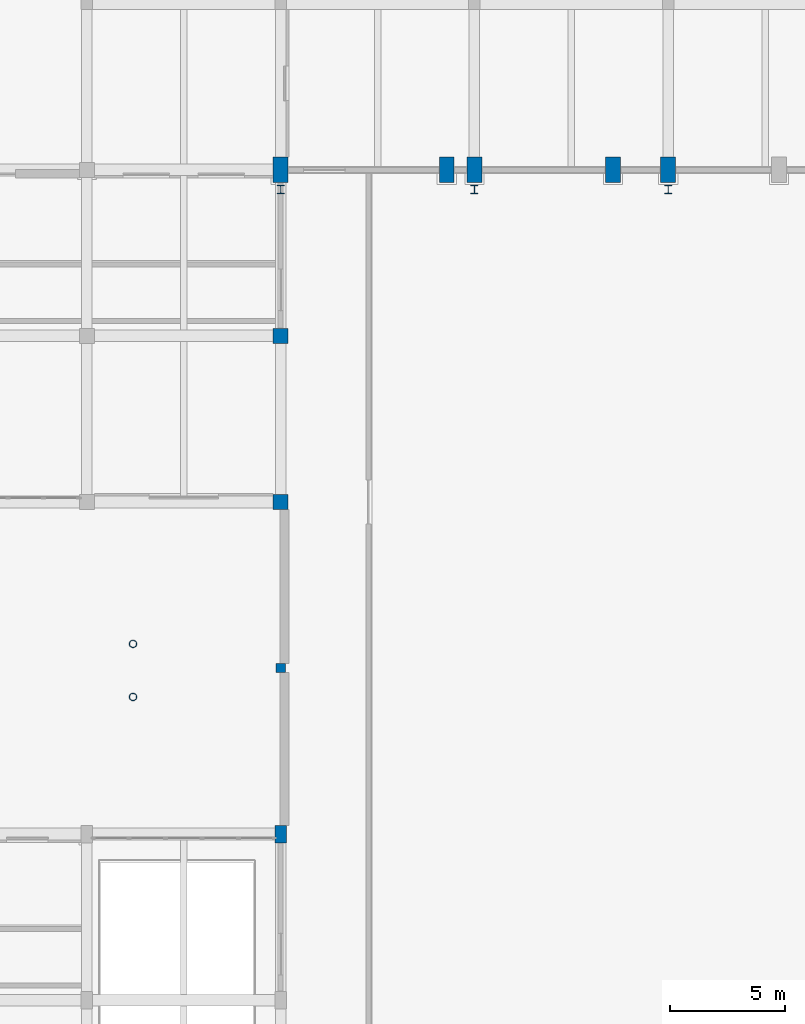
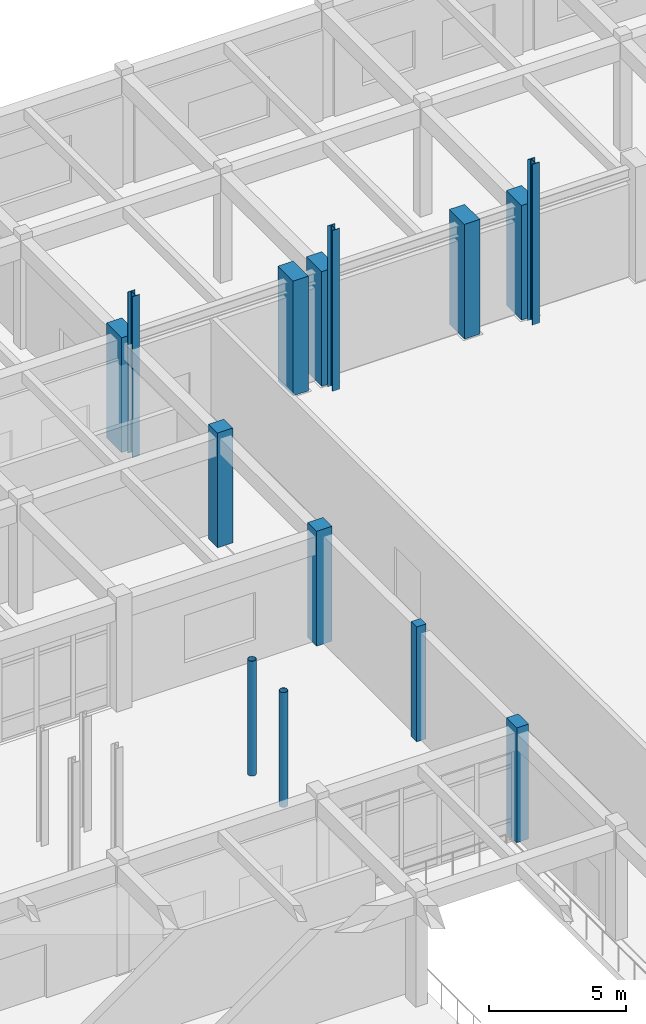
# One storey, part 31 of 121: 14 columns.
"""IFC4 building model written with IfcOpenShell, lengths in metres."""

from ifc_helpers import new_model, si_unit, direction, frame, origin, origin_2d, place, context, subcontext, project, spatial, rectangle, hollow_circle, i_section, extrude, material, material_profile, profile_set, type_object, element, save


model = new_model("IFC4")

# Units and contexts
model_context = context("Model", 3, precision=1e-05, world=origin(), true_north=direction((0.0, 1.0)))
body_context = subcontext(model_context, "Body", "Model", "MODEL_VIEW")
ifc_project = project(units=[si_unit("LENGTHUNIT", "METRE"), si_unit("AREAUNIT", "SQUARE_METRE"), si_unit("VOLUMEUNIT", "CUBIC_METRE"), si_unit("PLANEANGLEUNIT", "RADIAN"), si_unit("MASSUNIT", "GRAM", prefix="KILO")], contexts=[model_context])

# Site, building, storey
site_placement = place(None, origin())
site = spatial("IfcSite", under=ifc_project, at=site_placement, CompositionType="ELEMENT")
building_placement = place(site_placement, origin())
building = spatial("IfcBuilding", under=site, at=building_placement, Name="Malvenik Polytechnic", CompositionType="ELEMENT")
storey_placement = place(building_placement, origin())
storey = spatial("IfcBuildingStorey", under=building, at=storey_placement, Name="L00", CompositionType="ELEMENT", Elevation=0.0)

# Columns
ifc_material_1 = material(Name="Concrete C35/45", Category="concrete")
ifc_material_profile_1 = material_profile(ifc_material_1, rectangle(XDim=0.64990234375, YDim=0.64990234375, at=origin_2d()), Name="RC COL 650x650")
ifc_profile_set_1 = profile_set([ifc_material_profile_1], Name="Concrete C35/45")
column_type_1 = type_object("IfcColumnType", Name="STR-COL-C-05", PredefinedType="COLUMN", material=ifc_profile_set_1)
for number, where, z_axis, x_axis, name in (
    (1, (134.39990234375, 79.199951171875, 0.0), (0.0, 0.0, 1.0), (1.0, 0.0, 0.0), "Column C-05 L00 (134.4,79.2)"),
    (2, (134.39990234375, 86.39990234375, 0.0), (0.0, 0.0, 1.0), (1.0, 0.0, 0.0), "Column C-05 L00 (134.4,86.4)"),
):
    element("IfcColumn", number, at=place(storey_placement, frame(where, z_axis=z_axis, x_axis=x_axis)), inside=storey, type_object=column_type_1, Name=name, PredefinedType="COLUMN", context=body_context, shape_type="SweptSolid", body=[
        extrude(rectangle(XDim=0.64990234375, YDim=0.64990234375, at=origin_2d()), origin(), (0.0, 0.0, 1.0), 5.10009765625),
    ])
ifc_material_2 = material(Name="Concrete C30/37", Category="concrete")
ifc_material_profile_2 = material_profile(ifc_material_2, rectangle(XDim=0.39990234375, YDim=0.39990234375, at=origin_2d()), Name="RC COL 400x400")
ifc_profile_set_2 = profile_set([ifc_material_profile_2], Name="Concrete C30/37")
column_type_2 = type_object("IfcColumnType", Name="STR-COL-C-10", PredefinedType="COLUMN", material=ifc_profile_set_2)
column_1_placement = place(storey_placement, frame((134.39990234375, 72.0, 0.0), z_axis=(0.0, 0.0, 1.0), x_axis=(1.0, 0.0, 0.0)))
element("IfcColumn", 3, at=column_1_placement, inside=storey, type_object=column_type_2, Name="Column C-10 L00 (134.4,72.0)", PredefinedType="COLUMN", context=body_context, shape_type="SweptSolid", body=[
    extrude(rectangle(XDim=0.39990234375, YDim=0.39990234375, at=origin_2d()), origin(), (0.0, 0.0, 1.0), 5.10009765625),
])
ifc_material_profile_3 = material_profile(ifc_material_1, rectangle(XDim=0.64990234375, YDim=1.10009765625, at=origin_2d()), Name="RC COL 1100x650")
ifc_profile_set_3 = profile_set([ifc_material_profile_3], Name="Concrete C35/45")
column_type_3 = type_object("IfcColumnType", Name="STR-COL-C-12", PredefinedType="COLUMN", material=ifc_profile_set_3)
for number, where, z_axis, x_axis, name in (
    (4, (134.39990234375, 93.60009765625, 0.0), (0.0, 0.0, 1.0), (1.0, 0.0, 0.0), "Column C-12 L00 (134.4,93.6)"),
    (5, (141.60009765625, 93.60009765625, 0.0), (0.0, 0.0, 1.0), (1.0, 0.0, 0.0), "Column C-12 L00 (141.6,93.6)"),
    (6, (142.800048828125, 93.60009765625, 0.0), (0.0, 0.0, 1.0), (1.0, 0.0, 0.0), "Column C-12 L00 (142.8,93.6)"),
    (7, (148.800048828125, 93.60009765625, 0.0), (0.0, 0.0, 1.0), (1.0, 0.0, 0.0), "Column C-12 L00 (148.8,93.6)"),
    (8, (151.199951171875, 93.60009765625, 0.0), (0.0, 0.0, 1.0), (1.0, 0.0, 0.0), "Column C-12 L00 (151.2,93.6)"),
):
    element("IfcColumn", number, at=place(storey_placement, frame(where, z_axis=z_axis, x_axis=x_axis)), inside=storey, type_object=column_type_3, Name=name, PredefinedType="COLUMN", context=body_context, shape_type="SweptSolid", body=[
        extrude(rectangle(XDim=0.64990234375, YDim=1.10009765625, at=origin_2d()), origin(), (0.0, 0.0, 1.0), 5.10009765625),
    ])
ifc_material_profile_4 = material_profile(ifc_material_1, rectangle(XDim=0.5, YDim=0.75, at=origin_2d()), Name="RC COL 750x500")
ifc_profile_set_4 = profile_set([ifc_material_profile_4], Name="Concrete C35/45")
column_type_4 = type_object("IfcColumnType", Name="STR-COL-C-14", PredefinedType="COLUMN", material=ifc_profile_set_4)
column_2_placement = place(storey_placement, frame((134.39990234375, 64.800048828125, 0.0), z_axis=(0.0, 0.0, 1.0), x_axis=(1.0, 0.0, 0.0)))
element("IfcColumn", 9, at=column_2_placement, inside=storey, type_object=column_type_4, Name="Column C-14 L00 (134.4,64.8)", PredefinedType="COLUMN", context=body_context, shape_type="SweptSolid", body=[
    extrude(rectangle(XDim=0.5, YDim=0.75, at=origin_2d()), origin(), (0.0, 0.0, 1.0), 5.10009765625),
])
ifc_material_3 = material(Name="Steel S355", Category="steel")
ifc_material_profile_5 = material_profile(ifc_material_3, i_section(OverallWidth=0.300048828125, OverallDepth=0.360107421875, WebThickness=0.012451171875, FlangeThickness=0.0224609375, FilletRadius=0.027099609375, at=origin_2d()), Name="HEB 360")
ifc_profile_set_5 = profile_set([ifc_material_profile_5], Name="Steel S355")
column_type_5 = type_object("IfcColumnType", Name="STR-SCOL-SC-03", PredefinedType="COLUMN", material=ifc_profile_set_5)
for number, where, z_axis, x_axis, name in (
    (10, (134.39990234375, 92.75, 0.0), (0.0, 0.0, 1.0), (1.0, 0.0, 0.0), "Crane Runway Column SC-03 #2.1"),
    (11, (142.800048828125, 92.75, 0.0), (0.0, 0.0, 1.0), (1.0, 0.0, 0.0), "Crane Runway Column SC-03 #2.2"),
    (12, (151.199951171875, 92.75, 0.0), (0.0, 0.0, 1.0), (1.0, 0.0, 0.0), "Crane Runway Column SC-03 #2.3"),
):
    element("IfcColumn", number, at=place(storey_placement, frame(where, z_axis=z_axis, x_axis=x_axis)), inside=storey, type_object=column_type_5, Name=name, PredefinedType="COLUMN", context=body_context, shape_type="SweptSolid", body=[
        extrude(i_section(OverallWidth=0.300048828125, OverallDepth=0.360107421875, WebThickness=0.012451171875, FlangeThickness=0.0224609375, FilletRadius=0.027099609375, at=origin_2d()), origin(), (0.0, 0.0, 1.0), 7.155029296875),
    ])
ifc_material_4 = material(Name="Steel S355J2H", Category="steel")
ifc_material_profile_6 = material_profile(ifc_material_4, hollow_circle(Radius=0.161865234375, WallThickness=0.012451171875, at=origin_2d()), Name="CHS 323.9x12.5")
ifc_profile_set_6 = profile_set([ifc_material_profile_6], Name="Steel S355J2H")
column_type_6 = type_object("IfcColumnType", Name="STR-SCOL-SC-04", PredefinedType="COLUMN", material=ifc_profile_set_6)
for number, where, z_axis, x_axis, name in (
    (13, (128.0, 70.75, 0.0), (0.0, 0.0, 1.0), (1.0, 0.0, 0.0), "Bridge-Ramp Support Column SC-04 L00"),
    (14, (128.0, 73.050048828125, 0.0), (0.0, 0.0, 1.0), (1.0, 0.0, 0.0), "Bridge-Ramp Support Column SC-04 L00"),
):
    element("IfcColumn", number, at=place(storey_placement, frame(where, z_axis=z_axis, x_axis=x_axis)), inside=storey, type_object=column_type_6, Name=name, PredefinedType="COLUMN", context=body_context, shape_type="SweptSolid", body=[
        extrude(hollow_circle(Radius=0.161865234375, WallThickness=0.012451171875, at=origin_2d()), origin(), (0.0, 0.0, 1.0), 5.10009765625),
    ])

save(model, "model.ifc")
